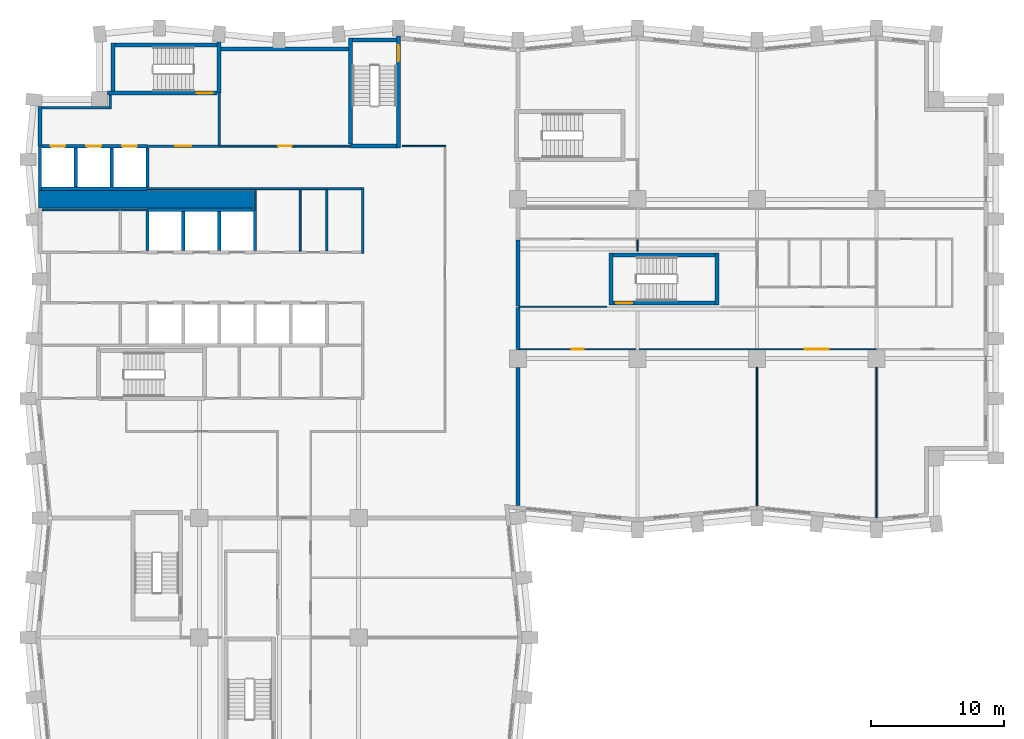
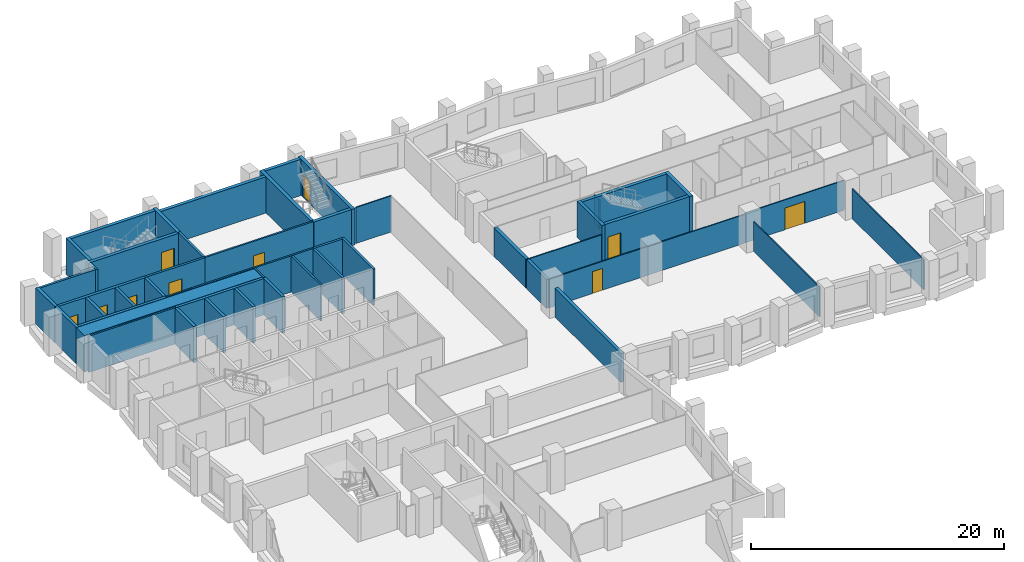
# One storey, part 6 of 11: 48 walls, 10 doors, 10 openings.
"""IFC4 building model written with IfcOpenShell, lengths in metres."""

from ifc_helpers import new_model, si_unit, direction, frame, frame_2d, origin, place, context, subcontext, project, spatial, rectangle, extrude, material, layer, layer_set, type_object, element, fill, save


model = new_model("IFC4")

# Units and contexts
model_context = context("Model", 3, precision=1e-05, world=origin(), true_north=direction((0.0, 1.0)))
body_context = subcontext(model_context, "Body", "Model", "MODEL_VIEW")
ifc_project = project(units=[si_unit("LENGTHUNIT", "METRE"), si_unit("AREAUNIT", "SQUARE_METRE"), si_unit("VOLUMEUNIT", "CUBIC_METRE"), si_unit("PLANEANGLEUNIT", "RADIAN"), si_unit("MASSUNIT", "GRAM", prefix="KILO")], contexts=[model_context])

# Site, building, storey
site_placement = place(None, origin())
site = spatial("IfcSite", under=ifc_project, at=site_placement, CompositionType="ELEMENT")
building_placement = place(site_placement, origin())
building = spatial("IfcBuilding", under=site, at=building_placement, Name="Brondeck Convention Tower", CompositionType="ELEMENT")
storey_placement = place(building_placement, frame((0.0, 0.0, 103.699951171875)))
storey = spatial("IfcBuildingStorey", under=building, at=storey_placement, Name="L24", CompositionType="ELEMENT", Elevation=103.699951171875)

# Walls
ifc_material_1 = material(Name="Concrete compartment wall C30/37", Category="concrete")
ifc_layer_1 = layer(ifc_material_1, 0.300048828125)
ifc_layer_set_1 = layer_set([ifc_layer_1], Name="Compartment wall 300")
wall_type_1 = type_object("IfcWallType", Name="Compartment wall 300", PredefinedType="PARTITIONING", material=ifc_layer_set_1)
wall_1_placement = place(storey_placement, frame((36.0, 27.924560546875, 0.0), z_axis=(0.0, 0.0, 1.0), x_axis=(0.0, 1.0, 0.0)))
element("IfcWall", 1, at=wall_1_placement, inside=storey, type_object=wall_type_1, Name="FLR-L24-W027", PredefinedType="PARTITIONING", context=body_context, shape_type="SweptSolid", body=[
    extrude(rectangle(XDim=10.42041015625, YDim=0.300048828125, at=frame_2d((5.210205078125, 0.0))), origin(), (0.0, 0.0, 1.0), 2.780029296875),
])
wall_2_placement = place(storey_placement, frame((36.0, 39.669921875, 0.0), z_axis=(0.0, 0.0, 1.0), x_axis=(0.0, 1.0, 0.0)))
element("IfcWall", 2, at=wall_2_placement, inside=storey, type_object=wall_type_1, Name="FLR-L24-W037", PredefinedType="PARTITIONING", context=body_context, shape_type="SweptSolid", body=[
    extrude(rectangle(XDim=3.18017578125, YDim=0.300048828125, at=frame_2d((1.590087890625, 0.0))), origin(), (0.0, 0.0, 1.0), 2.780029296875),
])
wall_3_placement = place(storey_placement, frame((36.0, 42.949951171875, 0.0), z_axis=(0.0, 0.0, 1.0), x_axis=(0.0, 1.0, 0.0)))
element("IfcWall", 3, at=wall_3_placement, inside=storey, type_object=wall_type_1, Name="FLR-L24-W042", PredefinedType="PARTITIONING", context=body_context, shape_type="SweptSolid", body=[
    extrude(rectangle(XDim=5.0, YDim=0.300048828125, at=frame_2d((2.5, 0.0))), origin(), (0.0, 0.0, 1.0), 2.780029296875),
])
ifc_material_2 = material(Name="Concrete C70/85", Category="concrete")
ifc_layer_2 = layer(ifc_material_2, 0.199951171875)
ifc_layer_set_2 = layer_set([ifc_layer_2], Name="Core beam-seat wall 200 Concrete C70/85")
wall_type_2 = type_object("IfcWallType", Name="Core beam-seat wall 200 Concrete C70/85", PredefinedType="SHEAR", material=ifc_layer_set_2)
wall_4_placement = place(storey_placement, frame((24.300048828125, 46.89990234375, 0.0), z_axis=(0.0, 0.0, 1.0), x_axis=(0.0, 1.0, 0.0)))
element("IfcWall", 4, at=wall_4_placement, inside=storey, type_object=wall_type_2, Name="L24 core wall", PredefinedType="SHEAR", context=body_context, shape_type="SweptSolid", body=[
    extrude(rectangle(XDim=5.0, YDim=0.199951171875, at=frame_2d((2.5, 0.0))), origin(), (0.0, 0.0, 1.0), 3.5),
])
ifc_layer_3 = layer(ifc_material_2, 0.300048828125)
ifc_layer_set_3 = layer_set([ifc_layer_3], Name="Core outer wall 300 Concrete C70/85")
wall_type_3 = type_object("IfcWallType", Name="Core outer wall 300 Concrete C70/85", PredefinedType="SHEAR", material=ifc_layer_set_3)
wall_5_placement = place(storey_placement, frame((13.64990234375, 62.300048828125, 0.0), z_axis=(0.0, 0.0, 1.0), x_axis=(1.0, 0.0, 0.0)))
element("IfcWall", 5, at=wall_5_placement, inside=storey, type_object=wall_type_3, Name="L24 core wall", PredefinedType="SHEAR", context=body_context, shape_type="SweptSolid", body=[
    extrude(rectangle(XDim=9.60009765625, YDim=0.300048828125, at=frame_2d((4.800048828125, 0.0))), origin(), (0.0, 0.0, 1.0), 3.5),
])
wall_6_placement = place(storey_placement, frame((0.0, 55.0, 0.0), z_axis=(0.0, 0.0, 1.0), x_axis=(0.0, 1.0, 0.0)))
element("IfcWall", 6, at=wall_6_placement, inside=storey, type_object=wall_type_3, Name="L24 core wall", PredefinedType="SHEAR", context=body_context, shape_type="SweptSolid", body=[
    extrude(rectangle(XDim=3.0, YDim=0.300048828125, at=frame_2d((1.5, 0.0))), origin(), (0.0, 0.0, 1.0), 3.5),
])
ifc_material_3 = material(Name="Fire-rated gypsum board partition")
ifc_layer_4 = layer(ifc_material_3, 0.14990234375)
ifc_layer_set_4 = layer_set([ifc_layer_4], Name="Core partition 150 EI 60")
wall_type_4 = type_object("IfcWallType", Name="Core partition 150 EI 60", PredefinedType="PARTITIONING", material=ifc_layer_set_4)
wall_7_placement = place(storey_placement, frame((0.14990234375, 50.199951171875, 0.0), z_axis=(0.0, 0.0, 1.0), x_axis=(1.0, 0.0, 0.0)))
element("IfcWall", 7, at=wall_7_placement, inside=storey, type_object=wall_type_4, Name="L24 core wall", PredefinedType="PARTITIONING", context=body_context, shape_type="SweptSolid", body=[
    extrude(rectangle(XDim=7.9501953125, YDim=0.14990234375, at=frame_2d((3.97509765625, 0.0))), origin(), (0.0, 0.0, 1.0), 3.5),
])
wall_8_placement = place(storey_placement, frame((8.10009765625, 51.800048828125, 0.0), z_axis=(0.0, 0.0, 1.0), x_axis=(1.0, 0.0, 0.0)))
element("IfcWall", 8, at=wall_8_placement, inside=storey, type_object=wall_type_4, Name="L24 core wall", PredefinedType="PARTITIONING", context=body_context, shape_type="SweptSolid", body=[
    extrude(rectangle(XDim=13.5, YDim=0.14990234375, at=frame_2d((6.75, 0.0))), origin(), (0.0, 0.0, 1.0), 3.5),
])

# Wall, opening, door
wall_9_placement = place(storey_placement, frame((13.5, 55.0, 0.0), z_axis=(0.0, 0.0, 1.0), x_axis=(1.0, 0.0, 0.0)))
wall_9 = element("IfcWall", 9, at=wall_9_placement, inside=storey, type_object=wall_type_4, Name="L24 core wall", PredefinedType="PARTITIONING", context=body_context, shape_type="SweptSolid", body=[
    extrude(rectangle(XDim=9.89990234375, YDim=0.14990234375, at=frame_2d((4.949951171875, 0.0))), origin(), (0.0, 0.0, 1.0), 3.5),
])
opening_1_placement = place(wall_9_placement, frame((4.449951171875, 0.0, 0.0)))
opening_1 = element("IfcOpeningElement", 10, at=opening_1_placement, cuts=wall_9, Name="Opening C15-15", PredefinedType="OPENING", context=body_context, shape_type="SweptSolid", body=[
    extrude(rectangle(XDim=1.0, YDim=2.10009765625, at=frame_2d((0.5, 1.050048828125))), frame((0.0, 0.0849609375, 0.0), z_axis=(0.0, -1.0, 0.0), x_axis=(1.0, 0.0, 0.0)), (0.0, 0.0, 1.0), 0.169921875),
])
ifc_material_4 = material(Name="Steel fire door", Category="steel")
door_type_1 = type_object("IfcDoorType", Name="Room door 1000x2100 EI 60", OperationType="NOTDEFINED", PredefinedType="DOOR", material=ifc_material_4)
door_1_placement = place(opening_1_placement, origin())
door_1 = element("IfcDoor", 11, at=door_1_placement, inside=storey, type_object=door_type_1, Name="L24 Room door NE-1", OperationType="SINGLE_SWING_LEFT", OverallHeight=2.10009765625, OverallWidth=1.0, PredefinedType="DOOR", context=body_context, shape_type="SweptSolid", body=[
    extrude(rectangle(XDim=1.0, YDim=2.10009765625, at=frame_2d((0.5, 1.050048828125))), frame((0.0, 0.02490234375, 0.0), z_axis=(0.0, -1.0, 0.0), x_axis=(1.0, 0.0, 0.0)), (0.0, 0.0, 1.0), 0.050048828125),
])
fill(opening_1, door_1)

# Walls
wall_10_placement = place(storey_placement, frame((16.199951171875, 50.199951171875, 0.0), z_axis=(0.0, 0.0, 1.0), x_axis=(0.0, 1.0, 0.0)))
element("IfcWall", 12, at=wall_10_placement, inside=storey, type_object=wall_type_4, Name="L24 core wall", PredefinedType="PARTITIONING", context=body_context, shape_type="SweptSolid", body=[
    extrude(rectangle(XDim=1.525146484375, YDim=0.14990234375, at=frame_2d((0.7626953125, 0.0))), origin(), (0.0, 0.0, 1.0), 3.5),
])
wall_11_placement = place(storey_placement, frame((19.60009765625, 47.10009765625, 0.0), z_axis=(0.0, 0.0, 1.0), x_axis=(0.0, 1.0, 0.0)))
element("IfcWall", 13, at=wall_11_placement, inside=storey, type_object=wall_type_4, Name="L24 core wall", PredefinedType="PARTITIONING", context=body_context, shape_type="SweptSolid", body=[
    extrude(rectangle(XDim=4.625, YDim=0.14990234375, at=frame_2d((2.3125, 0.0))), origin(), (0.0, 0.0, 1.0), 3.5),
])
ifc_layer_5 = layer(ifc_material_2, 1.300048828125)
ifc_layer_set_5 = layer_set([ifc_layer_5], Name="Core shear wall 1300 Concrete C70/85")
wall_type_5 = type_object("IfcWallType", Name="Core shear wall 1300 Concrete C70/85", PredefinedType="SHEAR", material=ifc_layer_set_5)
wall_12_placement = place(storey_placement, frame((-0.125, 51.0, 0.0), z_axis=(0.0, 0.0, 1.0), x_axis=(1.0, 0.0, 0.0)))
element("IfcWall", 14, at=wall_12_placement, inside=storey, type_object=wall_type_5, Name="L24 core wall", PredefinedType="SHEAR", context=body_context, shape_type="SweptSolid", body=[
    extrude(rectangle(XDim=16.22509765625, YDim=1.300048828125, at=frame_2d((8.112548828125, 0.0))), origin(), (0.0, 0.0, 1.0), 3.5),
])

# Wall, opening, door
ifc_layer_6 = layer(ifc_material_3, 0.199951171875)
ifc_layer_set_6 = layer_set([ifc_layer_6], Name="Firefighting lobby wall 200 EI 120")
wall_type_6 = type_object("IfcWallType", Name="Firefighting lobby wall 200 EI 120", PredefinedType="PARTITIONING", material=ifc_layer_set_6)
wall_13_placement = place(storey_placement, frame((8.10009765625, 55.0, 0.0), z_axis=(0.0, 0.0, 1.0), x_axis=(1.0, 0.0, 0.0)))
wall_13 = element("IfcWall", 15, at=wall_13_placement, inside=storey, type_object=wall_type_6, Name="L24 core wall", PredefinedType="PARTITIONING", context=body_context, shape_type="SweptSolid", body=[
    extrude(rectangle(XDim=5.39990234375, YDim=0.199951171875, at=frame_2d((2.699951171875, 0.0))), origin(), (0.0, 0.0, 1.0), 3.5),
])
opening_2_placement = place(wall_13_placement, frame((2.10009765625, 0.0, 0.0)))
opening_2 = element("IfcOpeningElement", 16, at=opening_2_placement, cuts=wall_13, Name="Opening C15-01", PredefinedType="OPENING", context=body_context, shape_type="SweptSolid", body=[
    extrude(rectangle(XDim=1.199951171875, YDim=2.199951171875, at=frame_2d((0.60009765625, 1.10009765625))), frame((0.0, 0.10986328125, 0.0), z_axis=(0.0, -1.0, 0.0), x_axis=(1.0, 0.0, 0.0)), (0.0, 0.0, 1.0), 0.219970703125),
])
door_type_2 = type_object("IfcDoorType", Name="Firefighting lobby door 1200x2200 EI 120", OperationType="NOTDEFINED", PredefinedType="DOOR", material=ifc_material_4)
door_2_placement = place(opening_2_placement, origin())
door_2 = element("IfcDoor", 17, at=door_2_placement, inside=storey, type_object=door_type_2, Name="L24 Firefighting lobby door FFL-1", OperationType="SINGLE_SWING_RIGHT", OverallHeight=2.199951171875, OverallWidth=1.199951171875, PredefinedType="DOOR", context=body_context, shape_type="SweptSolid", body=[
    extrude(rectangle(XDim=1.199951171875, YDim=2.199951171875, at=frame_2d((0.60009765625, 1.10009765625))), frame((0.0, 0.02490234375, 0.0), z_axis=(0.0, -1.0, 0.0), x_axis=(1.0, 0.0, 0.0)), (0.0, 0.0, 1.0), 0.050048828125),
])
fill(opening_2, door_2)

# Walls
wall_14_placement = place(storey_placement, frame((0.14990234375, 57.89990234375, 0.0), z_axis=(0.0, 0.0, 1.0), x_axis=(1.0, 0.0, 0.0)))
element("IfcWall", 18, at=wall_14_placement, inside=storey, type_object=wall_type_6, Name="L24 core wall", PredefinedType="PARTITIONING", context=body_context, shape_type="SweptSolid", body=[
    extrude(rectangle(XDim=5.050048828125, YDim=0.199951171875, at=frame_2d((2.52490234375, 0.0))), origin(), (0.0, 0.0, 1.0), 3.5),
])
wall_15_placement = place(storey_placement, frame((5.300048828125, 57.800048828125, 0.0), z_axis=(0.0, 0.0, 1.0), x_axis=(0.0, 1.0, 0.0)))
element("IfcWall", 19, at=wall_15_placement, inside=storey, type_object=wall_type_6, Name="L24 core wall", PredefinedType="PARTITIONING", context=body_context, shape_type="SweptSolid", body=[
    extrude(rectangle(XDim=1.050048828125, YDim=0.199951171875, at=frame_2d((0.52490234375, 0.0))), origin(), (0.0, 0.0, 1.0), 3.5),
])
wall_16_placement = place(storey_placement, frame((13.5, 55.10009765625, 0.0), z_axis=(0.0, 0.0, 1.0), x_axis=(0.0, 1.0, 0.0)))
element("IfcWall", 20, at=wall_16_placement, inside=storey, type_object=wall_type_6, Name="L24 core wall", PredefinedType="PARTITIONING", context=body_context, shape_type="SweptSolid", body=[
    extrude(rectangle(XDim=3.89990234375, YDim=0.199951171875, at=frame_2d((1.949951171875, 0.0))), origin(), (0.0, 0.0, 1.0), 3.5),
])
ifc_layer_7 = layer(ifc_material_2, 0.25)
ifc_layer_set_7 = layer_set([ifc_layer_7], Name="Lift shaft wall 250 Concrete C70/85")
wall_type_7 = type_object("IfcWallType", Name="Lift shaft wall 250 Concrete C70/85", PredefinedType="SHEAR", material=ifc_layer_set_7)
wall_17_placement = place(storey_placement, frame((8.10009765625, 50.199951171875, 0.0), z_axis=(0.0, 0.0, 1.0), x_axis=(1.0, 0.0, 0.0)))
element("IfcWall", 21, at=wall_17_placement, inside=storey, type_object=wall_type_7, Name="L24 core wall", PredefinedType="SHEAR", context=body_context, shape_type="SweptSolid", body=[
    extrude(rectangle(XDim=7.974853515625, YDim=0.25, at=frame_2d((3.9873046875, 0.0))), origin(), (0.0, 0.0, 1.0), 3.5),
])
wall_18_placement = place(storey_placement, frame((0.125, 51.800048828125, 0.0), z_axis=(0.0, 0.0, 1.0), x_axis=(1.0, 0.0, 0.0)))
element("IfcWall", 22, at=wall_18_placement, inside=storey, type_object=wall_type_7, Name="L24 core wall", PredefinedType="SHEAR", context=body_context, shape_type="SweptSolid", body=[
    extrude(rectangle(XDim=7.97509765625, YDim=0.25, at=frame_2d((3.987548828125, 0.0))), origin(), (0.0, 0.0, 1.0), 3.5),
])

# Wall, openings, doors
wall_19_placement = place(storey_placement, frame((0.14990234375, 55.0, 0.0), z_axis=(0.0, 0.0, 1.0), x_axis=(1.0, 0.0, 0.0)))
wall_19 = element("IfcWall", 23, at=wall_19_placement, inside=storey, type_object=wall_type_7, Name="L24 core wall", PredefinedType="SHEAR", context=body_context, shape_type="SweptSolid", body=[
    extrude(rectangle(XDim=7.9501953125, YDim=0.25, at=frame_2d((3.97509765625, 0.0))), origin(), (0.0, 0.0, 1.0), 3.5),
])
opening_3_placement = place(wall_19_placement, frame((0.64990234375, 0.0, 0.0)))
opening_3 = element("IfcOpeningElement", 24, at=opening_3_placement, cuts=wall_19, Name="Opening C15-23", PredefinedType="OPENING", context=body_context, shape_type="SweptSolid", body=[
    extrude(rectangle(XDim=1.10009765625, YDim=2.10009765625, at=frame_2d((0.550048828125, 1.050048828125))), frame((0.0, 0.135009765625, 0.0), z_axis=(0.0, -1.0, 0.0), x_axis=(1.0, 0.0, 0.0)), (0.0, 0.0, 1.0), 0.27001953125),
])
opening_4_placement = place(wall_19_placement, frame((3.35009765625, 0.0, 0.0)))
opening_4 = element("IfcOpeningElement", 25, at=opening_4_placement, cuts=wall_19, Name="Opening C15-24", PredefinedType="OPENING", context=body_context, shape_type="SweptSolid", body=[
    extrude(rectangle(XDim=1.10009765625, YDim=2.10009765625, at=frame_2d((0.550048828125, 1.050048828125))), frame((0.0, 0.135009765625, 0.0), z_axis=(0.0, -1.0, 0.0), x_axis=(1.0, 0.0, 0.0)), (0.0, 0.0, 1.0), 0.27001953125),
])
opening_5_placement = place(wall_19_placement, frame((6.050048828125, 0.0, 0.0)))
opening_5 = element("IfcOpeningElement", 26, at=opening_5_placement, cuts=wall_19, Name="Opening C15-25", PredefinedType="OPENING", context=body_context, shape_type="SweptSolid", body=[
    extrude(rectangle(XDim=1.10009765625, YDim=2.10009765625, at=frame_2d((0.550048828125, 1.050048828125))), frame((0.0, 0.135009765625, 0.0), z_axis=(0.0, -1.0, 0.0), x_axis=(1.0, 0.0, 0.0)), (0.0, 0.0, 1.0), 0.27001953125),
])
ifc_material_5 = material(Name="Stainless steel lift door", Category="steel")
door_type_3 = type_object("IfcDoorType", Name="Lift landing door 1100x2100 EI 180", OperationType="DOUBLE_DOOR_SLIDING", PredefinedType="DOOR", material=ifc_material_5)
door_3_placement = place(opening_3_placement, origin())
door_3 = element("IfcDoor", 27, at=door_3_placement, inside=storey, type_object=door_type_3, Name="L24 Lift landing door FF1", OperationType="DOUBLE_DOOR_SLIDING", OverallHeight=2.10009765625, OverallWidth=1.10009765625, PredefinedType="DOOR", context=body_context, shape_type="SweptSolid", body=[
    extrude(rectangle(XDim=1.10009765625, YDim=2.10009765625, at=frame_2d((0.550048828125, 1.050048828125))), frame((0.0, 0.02490234375, 0.0), z_axis=(0.0, -1.0, 0.0), x_axis=(1.0, 0.0, 0.0)), (0.0, 0.0, 1.0), 0.050048828125),
])
fill(opening_3, door_3)
door_4_placement = place(opening_4_placement, origin())
door_4 = element("IfcDoor", 28, at=door_4_placement, inside=storey, type_object=door_type_3, Name="L24 Lift landing door FF2", OperationType="DOUBLE_DOOR_SLIDING", OverallHeight=2.10009765625, OverallWidth=1.10009765625, PredefinedType="DOOR", context=body_context, shape_type="SweptSolid", body=[
    extrude(rectangle(XDim=1.10009765625, YDim=2.10009765625, at=frame_2d((0.550048828125, 1.050048828125))), frame((0.0, 0.02490234375, 0.0), z_axis=(0.0, -1.0, 0.0), x_axis=(1.0, 0.0, 0.0)), (0.0, 0.0, 1.0), 0.050048828125),
])
fill(opening_4, door_4)
door_5_placement = place(opening_5_placement, origin())
door_5 = element("IfcDoor", 29, at=door_5_placement, inside=storey, type_object=door_type_3, Name="L24 Lift landing door FF3", OperationType="DOUBLE_DOOR_SLIDING", OverallHeight=2.10009765625, OverallWidth=1.10009765625, PredefinedType="DOOR", context=body_context, shape_type="SweptSolid", body=[
    extrude(rectangle(XDim=1.10009765625, YDim=2.10009765625, at=frame_2d((0.550048828125, 1.050048828125))), frame((0.0, 0.02490234375, 0.0), z_axis=(0.0, -1.0, 0.0), x_axis=(1.0, 0.0, 0.0)), (0.0, 0.0, 1.0), 0.050048828125),
])
fill(opening_5, door_5)

# Walls
wall_20_placement = place(storey_placement, frame((0.0, 51.64990234375, 0.0), z_axis=(0.0, 0.0, 1.0), x_axis=(0.0, 1.0, 0.0)))
element("IfcWall", 30, at=wall_20_placement, inside=storey, type_object=wall_type_7, Name="L24 core wall", PredefinedType="SHEAR", context=body_context, shape_type="SweptSolid", body=[
    extrude(rectangle(XDim=3.35009765625, YDim=0.25, at=frame_2d((1.675048828125, 0.0))), origin(), (0.0, 0.0, 1.0), 3.5),
])
for number, where, z_axis, x_axis, name in (
    (31, (2.699951171875, 51.925048828125, 0.0), (0.0, 0.0, 1.0), (0.0, 1.0, 0.0), "L24 core wall"),
    (32, (5.39990234375, 51.925048828125, 0.0), (0.0, 0.0, 1.0), (0.0, 1.0, 0.0), "L24 core wall"),
    (33, (8.10009765625, 47.125, 0.0), (0.0, 0.0, 1.0), (0.0, 1.0, 0.0), "L24 core wall"),
    (34, (8.10009765625, 51.925048828125, 0.0), (0.0, 0.0, 1.0), (0.0, 1.0, 0.0), "L24 core wall"),
    (35, (10.800048828125, 47.125, 0.0), (0.0, 0.0, 1.0), (0.0, 1.0, 0.0), "L24 core wall"),
    (36, (13.5, 47.125, 0.0), (0.0, 0.0, 1.0), (0.0, 1.0, 0.0), "L24 core wall"),
):
    element("IfcWall", number, at=place(storey_placement, frame(where, z_axis=z_axis, x_axis=x_axis)), inside=storey, type_object=wall_type_7, Name=name, PredefinedType="SHEAR", context=body_context, shape_type="SweptSolid", body=[
        extrude(rectangle(XDim=2.949951171875, YDim=0.25, at=frame_2d((1.47509765625, 0.0))), origin(), (0.0, 0.0, 1.0), 3.5),
    ])
wall_21_placement = place(storey_placement, frame((16.199951171875, 47.125, 0.0), z_axis=(0.0, 0.0, 1.0), x_axis=(0.0, 1.0, 0.0)))
element("IfcWall", 37, at=wall_21_placement, inside=storey, type_object=wall_type_7, Name="L24 core wall", PredefinedType="SHEAR", context=body_context, shape_type="SweptSolid", body=[
    extrude(rectangle(XDim=3.074951171875, YDim=0.25, at=frame_2d((1.53759765625, 0.0))), origin(), (0.0, 0.0, 1.0), 3.5),
])
ifc_layer_8 = layer(ifc_material_3, 0.199951171875)
ifc_layer_set_8 = layer_set([ifc_layer_8], Name="Riser wall 200 EI 120")
wall_type_8 = type_object("IfcWallType", Name="Riser wall 200 EI 120", PredefinedType="PARTITIONING", material=ifc_layer_set_8)
wall_22_placement = place(storey_placement, frame((21.60009765625, 51.800048828125, 0.0), z_axis=(0.0, 0.0, 1.0), x_axis=(1.0, 0.0, 0.0)))
element("IfcWall", 38, at=wall_22_placement, inside=storey, type_object=wall_type_8, Name="L24 core wall", PredefinedType="PARTITIONING", context=body_context, shape_type="SweptSolid", body=[
    extrude(rectangle(XDim=2.599853515625, YDim=0.199951171875, at=frame_2d((1.2998046875, 0.0))), origin(), (0.0, 0.0, 1.0), 3.5),
])
wall_23_placement = place(storey_placement, frame((21.60009765625, 47.10009765625, 0.0), z_axis=(0.0, 0.0, 1.0), x_axis=(0.0, 1.0, 0.0)))
element("IfcWall", 39, at=wall_23_placement, inside=storey, type_object=wall_type_8, Name="L24 core wall", PredefinedType="PARTITIONING", context=body_context, shape_type="SweptSolid", body=[
    extrude(rectangle(XDim=4.599853515625, YDim=0.199951171875, at=frame_2d((2.2998046875, 0.0))), origin(), (0.0, 0.0, 1.0), 3.5),
])
ifc_material_6 = material(Name="Gypsum board partition on steel studs", Category="steel")
ifc_layer_9 = layer(ifc_material_6, 0.10009765625)
ifc_layer_set_9 = layer_set([ifc_layer_9], Name="Room partition 100")
wall_type_9 = type_object("IfcWallType", Name="Room partition 100", PredefinedType="PARTITIONING", material=ifc_layer_set_9)
wall_24_placement = place(storey_placement, frame((54.0, 38.344970703125, 0.0), z_axis=(0.0, 0.0, 1.0), x_axis=(0.0, -1.0, 0.0)))
element("IfcWall", 40, at=wall_24_placement, inside=storey, type_object=wall_type_9, Name="FLR-L24-W032", PredefinedType="PARTITIONING", context=body_context, shape_type="SweptSolid", body=[
    extrude(rectangle(XDim=10.42041015625, YDim=0.10009765625, at=frame_2d((5.210205078125, 0.0))), origin(), (0.0, 0.0, 1.0), 2.880126953125),
])
wall_25_placement = place(storey_placement, frame((63.0, 38.344970703125, 0.0), z_axis=(0.0, 0.0, 1.0), x_axis=(0.0, -1.0, 0.0)))
element("IfcWall", 41, at=wall_25_placement, inside=storey, type_object=wall_type_9, Name="FLR-L24-W033", PredefinedType="PARTITIONING", context=body_context, shape_type="SweptSolid", body=[
    extrude(rectangle(XDim=11.320556640625, YDim=0.10009765625, at=frame_2d((5.66015625, 0.0))), origin(), (0.0, 0.0, 1.0), 2.880126953125),
])

# Wall, opening, door
wall_26_placement = place(storey_placement, frame((54.0, 39.699951171875, 0.0), z_axis=(0.0, 0.0, 1.0), x_axis=(-1.0, 0.0, 0.0)))
wall_26 = element("IfcWall", 42, at=wall_26_placement, inside=storey, type_object=wall_type_9, Name="FLR-L24-W034", PredefinedType="PARTITIONING", context=body_context, shape_type="SweptSolid", body=[
    extrude(rectangle(XDim=17.949951171875, YDim=0.10009765625, at=frame_2d((8.97509765625, 0.0))), origin(), (0.0, 0.0, 1.0), 2.780029296875),
])
opening_6_placement = place(wall_26_placement, frame((13.050048828125, 0.0, 0.0)))
opening_6 = element("IfcOpeningElement", 43, at=opening_6_placement, cuts=wall_26, Name="Opening OF-B-009", PredefinedType="OPENING", context=body_context, shape_type="SweptSolid", body=[
    extrude(rectangle(XDim=0.89990234375, YDim=2.10009765625, at=frame_2d((0.449951171875, 1.050048828125))), frame((0.0, 0.06005859375, 0.0), z_axis=(0.0, -1.0, 0.0), x_axis=(1.0, 0.0, 0.0)), (0.0, 0.0, 1.0), 0.1201171875),
])
ifc_material_7 = material(Name="Solid timber door leaf", Category="wood")
door_type_4 = type_object("IfcDoorType", Name="Single door 900", OperationType="NOTDEFINED", PredefinedType="DOOR", material=ifc_material_7)
door_6_placement = place(opening_6_placement, origin())
door_6 = element("IfcDoor", 44, at=door_6_placement, inside=storey, type_object=door_type_4, Name="Door OF-B-009", OperationType="SINGLE_SWING_LEFT", OverallHeight=2.10009765625, OverallWidth=0.89990234375, PredefinedType="DOOR", context=body_context, shape_type="SweptSolid", body=[
    extrude(rectangle(XDim=0.89990234375, YDim=2.10009765625, at=frame_2d((0.449951171875, 1.050048828125))), frame((0.0, 0.02490234375, 0.0), z_axis=(0.0, -1.0, 0.0), x_axis=(1.0, 0.0, 0.0)), (0.0, 0.0, 1.0), 0.050048828125),
])
fill(opening_6, door_6)

wall_27_placement = place(storey_placement, frame((63.0, 39.699951171875, 0.0), z_axis=(0.0, 0.0, 1.0), x_axis=(-1.0, 0.0, 0.0)))
wall_27 = element("IfcWall", 45, at=wall_27_placement, inside=storey, type_object=wall_type_9, Name="FLR-L24-W035", PredefinedType="PARTITIONING", context=body_context, shape_type="SweptSolid", body=[
    extrude(rectangle(XDim=9.0, YDim=0.10009765625, at=frame_2d((4.5, 0.0))), origin(), (0.0, 0.0, 1.0), 2.880126953125),
])
opening_7_placement = place(wall_27_placement, frame((3.60009765625, 0.0, 0.0)))
opening_7 = element("IfcOpeningElement", 46, at=opening_7_placement, cuts=wall_27, Name="Opening OF-B-010", PredefinedType="OPENING", context=body_context, shape_type="SweptSolid", body=[
    extrude(rectangle(XDim=1.800048828125, YDim=2.10009765625, at=frame_2d((0.89990234375, 1.050048828125))), frame((0.0, 0.06005859375, 0.0), z_axis=(0.0, -1.0, 0.0), x_axis=(1.0, 0.0, 0.0)), (0.0, 0.0, 1.0), 0.1201171875),
])
ifc_material_8 = material(Name="Glazed timber double door", Category="wood")
door_type_5 = type_object("IfcDoorType", Name="Double door 1800", OperationType="DOUBLE_DOOR_SINGLE_SWING", PredefinedType="DOOR", material=ifc_material_8)
door_7_placement = place(opening_7_placement, origin())
door_7 = element("IfcDoor", 47, at=door_7_placement, inside=storey, type_object=door_type_5, Name="Door OF-B-010", OperationType="DOUBLE_DOOR_SINGLE_SWING", OverallHeight=2.10009765625, OverallWidth=1.800048828125, PredefinedType="DOOR", context=body_context, shape_type="SweptSolid", body=[
    extrude(rectangle(XDim=1.800048828125, YDim=2.10009765625, at=frame_2d((0.89990234375, 1.050048828125))), frame((0.0, 0.02490234375, 0.0), z_axis=(0.0, -1.0, 0.0), x_axis=(1.0, 0.0, 0.0)), (0.0, 0.0, 1.0), 0.050048828125),
])
fill(opening_7, door_7)

# Walls
wall_28_placement = place(storey_placement, frame((36.050048828125, 42.89990234375, 0.0), z_axis=(0.0, 0.0, 1.0), x_axis=(1.0, 0.0, 0.0)))
element("IfcWall", 48, at=wall_28_placement, inside=storey, type_object=wall_type_9, Name="FLR-L24-W038", PredefinedType="PARTITIONING", context=body_context, shape_type="SweptSolid", body=[
    extrude(rectangle(XDim=6.64990234375, YDim=0.10009765625, at=frame_2d((3.324951171875, 0.0))), origin(), (0.0, 0.0, 1.0), 2.780029296875),
])
wall_29_placement = place(storey_placement, frame((45.0, 47.949951171875, 0.0), z_axis=(0.0, 0.0, 1.0), x_axis=(0.0, -1.0, 0.0)))
element("IfcWall", 49, at=wall_29_placement, inside=storey, type_object=wall_type_9, Name="FLR-L24-W049", PredefinedType="PARTITIONING", context=body_context, shape_type="SweptSolid", body=[
    extrude(rectangle(XDim=0.849853515625, YDim=0.10009765625, at=frame_2d((0.4248046875, 0.0))), origin(), (0.0, 0.0, 1.0), 2.780029296875),
])
wall_30_placement = place(storey_placement, frame((27.300048828125, 55.0, 0.0), z_axis=(0.0, 0.0, 1.0), x_axis=(1.0, 0.0, 0.0)))
element("IfcWall", 50, at=wall_30_placement, inside=storey, type_object=wall_type_9, Name="FLR-L24-W073", PredefinedType="PARTITIONING", context=body_context, shape_type="SweptSolid", body=[
    extrude(rectangle(XDim=3.25, YDim=0.10009765625, at=frame_2d((1.625, 0.0))), origin(), (0.0, 0.0, 1.0), 3.47998046875),
])

# Wall, opening, door
ifc_layer_10 = layer(ifc_material_2, 0.300048828125)
ifc_layer_set_10 = layer_set([ifc_layer_10], Name="Stair enclosure wall 300 Concrete C70/85")
wall_type_10 = type_object("IfcWallType", Name="Stair enclosure wall 300 Concrete C70/85", PredefinedType="SHEAR", material=ifc_layer_set_10)
wall_31_placement = place(storey_placement, frame((43.14990234375, 43.199951171875, 0.0), z_axis=(0.0, 0.0, 1.0), x_axis=(1.0, 0.0, 0.0)))
wall_31 = element("IfcWall", 51, at=wall_31_placement, inside=storey, type_object=wall_type_10, Name="L24 core wall", PredefinedType="SHEAR", context=body_context, shape_type="SweptSolid", body=[
    extrude(rectangle(XDim=7.7001953125, YDim=0.300048828125, at=frame_2d((3.85009765625, 0.0))), origin(), (0.0, 0.0, 1.0), 3.5),
])
opening_8_placement = place(wall_31_placement, frame((0.25, 0.0, 0.0)))
opening_8 = element("IfcOpeningElement", 52, at=opening_8_placement, cuts=wall_31, Name="Opening C15-20", PredefinedType="OPENING", context=body_context, shape_type="SweptSolid", body=[
    extrude(rectangle(XDim=1.199951171875, YDim=2.199951171875, at=frame_2d((0.60009765625, 1.10009765625))), frame((0.0, 0.159912109375, 0.0), z_axis=(0.0, -1.0, 0.0), x_axis=(1.0, 0.0, 0.0)), (0.0, 0.0, 1.0), 0.320068359375),
])
door_type_6 = type_object("IfcDoorType", Name="Stair door 1200x2200 EI 90", OperationType="NOTDEFINED", PredefinedType="DOOR", material=ifc_material_4)
door_8_placement = place(opening_8_placement, origin())
door_8 = element("IfcDoor", 53, at=door_8_placement, inside=storey, type_object=door_type_6, Name="L24 Stair door ST-AF", OperationType="SINGLE_SWING_RIGHT", OverallHeight=2.199951171875, OverallWidth=1.199951171875, PredefinedType="DOOR", context=body_context, shape_type="SweptSolid", body=[
    extrude(rectangle(XDim=1.199951171875, YDim=2.199951171875, at=frame_2d((0.60009765625, 1.10009765625))), frame((0.0, 0.02490234375, 0.0), z_axis=(0.0, -1.0, 0.0), x_axis=(1.0, 0.0, 0.0)), (0.0, 0.0, 1.0), 0.050048828125),
])
fill(opening_8, door_8)

# Walls
wall_32_placement = place(storey_placement, frame((43.14990234375, 46.800048828125, 0.0), z_axis=(0.0, 0.0, 1.0), x_axis=(1.0, 0.0, 0.0)))
element("IfcWall", 54, at=wall_32_placement, inside=storey, type_object=wall_type_10, Name="L24 core wall", PredefinedType="SHEAR", context=body_context, shape_type="SweptSolid", body=[
    extrude(rectangle(XDim=7.7001953125, YDim=0.300048828125, at=frame_2d((3.85009765625, 0.0))), origin(), (0.0, 0.0, 1.0), 3.5),
])
wall_33_placement = place(storey_placement, frame((23.39990234375, 55.0, 0.0), z_axis=(0.0, 0.0, 1.0), x_axis=(1.0, 0.0, 0.0)))
element("IfcWall", 55, at=wall_33_placement, inside=storey, type_object=wall_type_10, Name="L24 core wall", PredefinedType="SHEAR", context=body_context, shape_type="SweptSolid", body=[
    extrude(rectangle(XDim=3.4501953125, YDim=0.300048828125, at=frame_2d((1.72509765625, 0.0))), origin(), (0.0, 0.0, 1.0), 3.5),
])

# Wall, opening, door
wall_34_placement = place(storey_placement, frame((5.10009765625, 59.0, 0.0), z_axis=(0.0, 0.0, 1.0), x_axis=(1.0, 0.0, 0.0)))
wall_34 = element("IfcWall", 56, at=wall_34_placement, inside=storey, type_object=wall_type_10, Name="L24 core wall", PredefinedType="SHEAR", context=body_context, shape_type="SweptSolid", body=[
    extrude(rectangle(XDim=8.25, YDim=0.300048828125, at=frame_2d((4.125, 0.0))), origin(), (0.0, 0.0, 1.0), 3.5),
])
opening_9_placement = place(wall_34_placement, frame((6.699951171875, 0.0, 0.0)))
opening_9 = element("IfcOpeningElement", 57, at=opening_9_placement, cuts=wall_34, Name="Opening C15-18", PredefinedType="OPENING", context=body_context, shape_type="SweptSolid", body=[
    extrude(rectangle(XDim=1.199951171875, YDim=2.199951171875, at=frame_2d((0.60009765625, 1.10009765625))), frame((0.0, 0.159912109375, 0.0), z_axis=(0.0, -1.0, 0.0), x_axis=(1.0, 0.0, 0.0)), (0.0, 0.0, 1.0), 0.320068359375),
])
door_type_7 = type_object("IfcDoorType", Name="Stair door 1200x2200 EI 120", OperationType="NOTDEFINED", PredefinedType="DOOR", material=ifc_material_4)
door_9_placement = place(opening_9_placement, origin())
door_9 = element("IfcDoor", 58, at=door_9_placement, inside=storey, type_object=door_type_7, Name="L24 Stair door ST-3", OperationType="SINGLE_SWING_RIGHT", OverallHeight=2.199951171875, OverallWidth=1.199951171875, PredefinedType="DOOR", context=body_context, shape_type="SweptSolid", body=[
    extrude(rectangle(XDim=1.199951171875, YDim=2.199951171875, at=frame_2d((0.60009765625, 1.10009765625))), frame((0.0, 0.02490234375, 0.0), z_axis=(0.0, -1.0, 0.0), x_axis=(1.0, 0.0, 0.0)), (0.0, 0.0, 1.0), 0.050048828125),
])
fill(opening_9, door_9)

# Walls
wall_35_placement = place(storey_placement, frame((5.64990234375, 62.60009765625, 0.0), z_axis=(0.0, 0.0, 1.0), x_axis=(1.0, 0.0, 0.0)))
element("IfcWall", 59, at=wall_35_placement, inside=storey, type_object=wall_type_10, Name="L24 core wall", PredefinedType="SHEAR", context=body_context, shape_type="SweptSolid", body=[
    extrude(rectangle(XDim=7.7001953125, YDim=0.300048828125, at=frame_2d((3.85009765625, 0.0))), origin(), (0.0, 0.0, 1.0), 3.5),
])
wall_36_placement = place(storey_placement, frame((23.550048828125, 63.0, 0.0), z_axis=(0.0, 0.0, 1.0), x_axis=(1.0, 0.0, 0.0)))
element("IfcWall", 60, at=wall_36_placement, inside=storey, type_object=wall_type_10, Name="L24 core wall", PredefinedType="SHEAR", context=body_context, shape_type="SweptSolid", body=[
    extrude(rectangle(XDim=3.300048828125, YDim=0.300048828125, at=frame_2d((1.64990234375, 0.0))), origin(), (0.0, 0.0, 1.0), 3.5),
])
wall_37_placement = place(storey_placement, frame((5.5, 59.14990234375, 0.0), z_axis=(0.0, 0.0, 1.0), x_axis=(0.0, 1.0, 0.0)))
element("IfcWall", 61, at=wall_37_placement, inside=storey, type_object=wall_type_10, Name="L24 core wall", PredefinedType="SHEAR", context=body_context, shape_type="SweptSolid", body=[
    extrude(rectangle(XDim=3.60009765625, YDim=0.300048828125, at=frame_2d((1.800048828125, 0.0))), origin(), (0.0, 0.0, 1.0), 3.5),
])
wall_38_placement = place(storey_placement, frame((13.5, 59.0, 0.0), z_axis=(0.0, 0.0, 1.0), x_axis=(0.0, 1.0, 0.0)))
element("IfcWall", 62, at=wall_38_placement, inside=storey, type_object=wall_type_10, Name="L24 core wall", PredefinedType="SHEAR", context=body_context, shape_type="SweptSolid", body=[
    extrude(rectangle(XDim=3.846923828125, YDim=0.300048828125, at=frame_2d((1.92333984375, 0.0))), origin(), (0.0, 0.0, 1.0), 3.5),
])
wall_39_placement = place(storey_placement, frame((23.39990234375, 55.14990234375, 0.0), z_axis=(0.0, 0.0, 1.0), x_axis=(0.0, 1.0, 0.0)))
element("IfcWall", 63, at=wall_39_placement, inside=storey, type_object=wall_type_10, Name="L24 core wall", PredefinedType="SHEAR", context=body_context, shape_type="SweptSolid", body=[
    extrude(rectangle(XDim=8.0, YDim=0.300048828125, at=frame_2d((4.0, 0.0))), origin(), (0.0, 0.0, 1.0), 3.5),
])

# Wall, opening, door
wall_40_placement = place(storey_placement, frame((27.0, 54.85009765625, 0.0), z_axis=(0.0, 0.0, 1.0), x_axis=(0.0, 1.0, 0.0)))
wall_40 = element("IfcWall", 64, at=wall_40_placement, inside=storey, type_object=wall_type_10, Name="L24 core wall", PredefinedType="SHEAR", context=body_context, shape_type="SweptSolid", body=[
    extrude(rectangle(XDim=8.449951171875, YDim=0.300048828125, at=frame_2d((4.22509765625, 0.0))), origin(), (0.0, 0.0, 1.0), 3.5),
])
opening_10_placement = place(wall_40_placement, frame((6.550048828125, 0.0, 0.0)))
opening_10 = element("IfcOpeningElement", 65, at=opening_10_placement, cuts=wall_40, Name="Opening C15-17", PredefinedType="OPENING", context=body_context, shape_type="SweptSolid", body=[
    extrude(rectangle(XDim=1.199951171875, YDim=2.199951171875, at=frame_2d((0.60009765625, 1.10009765625))), frame((0.0, 0.159912109375, 0.0), z_axis=(0.0, -1.0, 0.0), x_axis=(1.0, 0.0, 0.0)), (0.0, 0.0, 1.0), 0.320068359375),
])
door_10_placement = place(opening_10_placement, origin())
door_10 = element("IfcDoor", 66, at=door_10_placement, inside=storey, type_object=door_type_6, Name="L24 Stair door ST-2", OperationType="SINGLE_SWING_LEFT", OverallHeight=2.199951171875, OverallWidth=1.199951171875, PredefinedType="DOOR", context=body_context, shape_type="SweptSolid", body=[
    extrude(rectangle(XDim=1.199951171875, YDim=2.199951171875, at=frame_2d((0.60009765625, 1.10009765625))), frame((0.0, 0.02490234375, 0.0), z_axis=(0.0, -1.0, 0.0), x_axis=(1.0, 0.0, 0.0)), (0.0, 0.0, 1.0), 0.050048828125),
])
fill(opening_10, door_10)

# Walls
for number, where, z_axis, x_axis, name in (
    (67, (43.0, 43.050048828125, 0.0), (0.0, 0.0, 1.0), (0.0, 1.0, 0.0), "L24 core wall"),
    (68, (51.0, 43.050048828125, 0.0), (0.0, 0.0, 1.0), (0.0, 1.0, 0.0), "L24 core wall"),
):
    element("IfcWall", number, at=place(storey_placement, frame(where, z_axis=z_axis, x_axis=x_axis)), inside=storey, type_object=wall_type_10, Name=name, PredefinedType="SHEAR", context=body_context, shape_type="SweptSolid", body=[
        extrude(rectangle(XDim=3.89990234375, YDim=0.300048828125, at=frame_2d((1.949951171875, 0.0))), origin(), (0.0, 0.0, 1.0), 3.5),
    ])

save(model, "model.ifc")
